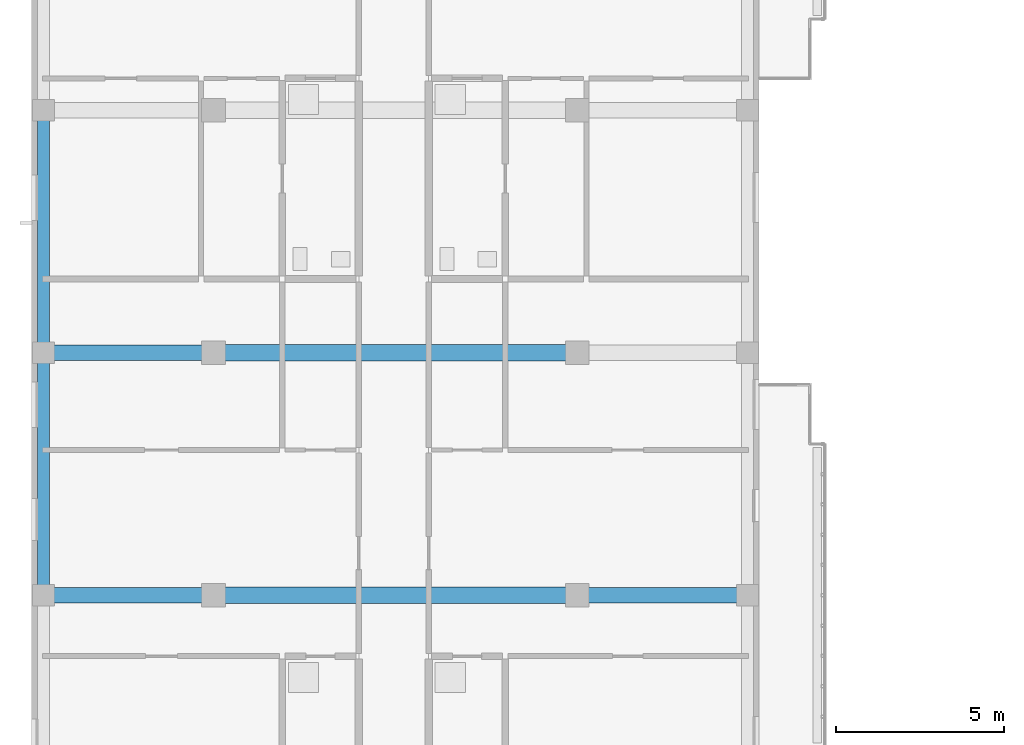
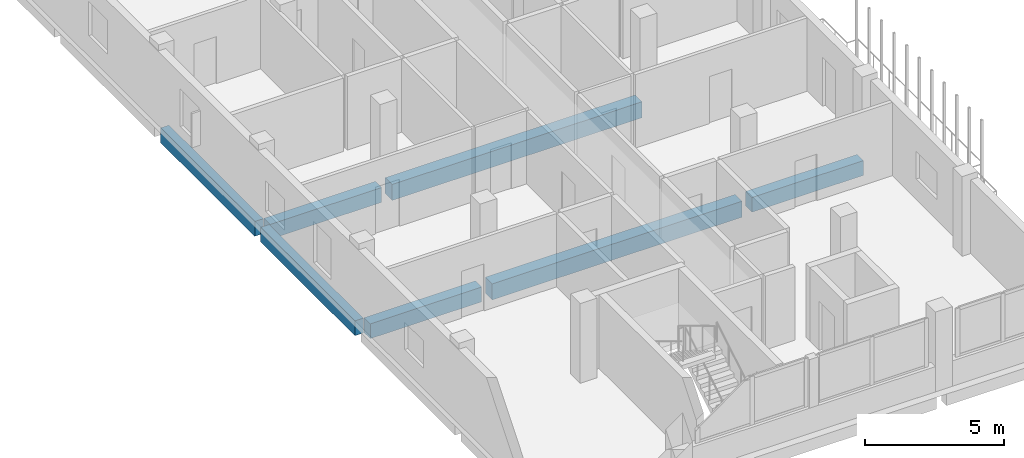
# One storey, part 18 of 73: 7 beams.
"""IFC4 building model written with IfcOpenShell, lengths in metres."""

from ifc_helpers import new_model, si_unit, derived_unit, direction, frame, origin, origin_2d, place, context, subcontext, project, spatial, rectangle, extrude, material, material_profile, profile_set, type_object, element, save


model = new_model("IFC4")

# Units and contexts
model_context = context("Model", 3, precision=1e-05, world=origin(), true_north=direction((0.0, 1.0)))
body_context = subcontext(model_context, "Body", "Model", "MODEL_VIEW")
ifc_project = project(units=[si_unit("LENGTHUNIT", "METRE"), si_unit("AREAUNIT", "SQUARE_METRE"), si_unit("VOLUMEUNIT", "CUBIC_METRE"), si_unit("PLANEANGLEUNIT", "RADIAN"), si_unit("MASSUNIT", "GRAM", prefix="KILO"), derived_unit("THERMALTRANSMITTANCEUNIT", [(si_unit("MASSUNIT", "GRAM", prefix="KILO"), 1), (si_unit("TIMEUNIT", "SECOND"), -3), (si_unit("THERMODYNAMICTEMPERATUREUNIT", "KELVIN"), -1)])], contexts=[model_context])

# Site, building, storey
site_placement = place(None, origin())
site = spatial("IfcSite", under=ifc_project, at=site_placement, CompositionType="ELEMENT")
building_placement = place(site_placement, origin())
building = spatial("IfcBuilding", under=site, at=building_placement, Name="Ochrekiln Boulevard Commons", CompositionType="ELEMENT")
storey_placement = place(building_placement, frame((0.0, 0.0, 8.574951171875)))
storey = spatial("IfcBuildingStorey", under=building, at=storey_placement, Name="L02", CompositionType="ELEMENT", Elevation=8.574951171875)

# Beams
ifc_material_1 = material(Name="Concrete C35/45", Category="concrete")
ifc_material_profile_1 = material_profile(ifc_material_1, rectangle(XDim=0.449951171875, YDim=0.64990234375, at=origin_2d()), Name="RC-BM-450x650")
ifc_profile_set_1 = profile_set([ifc_material_profile_1], Name="Concrete C35/45")
beam_type_1 = type_object("IfcBeamType", Name="BM-RC-450x650", PredefinedType="BEAM", material=ifc_profile_set_1)
beam_1_placement = place(storey_placement, frame((0.56005859375, 82.800048828125, -0.5849609375), z_axis=(1.0, 0.0, 0.0), x_axis=(0.0, 1.0, 0.0)))
element("IfcBeam", 1, at=beam_1_placement, inside=storey, type_object=beam_type_1, Name="Block A L02 Beam B-4565 X6", PredefinedType="BEAM", context=body_context, shape_type="SweptSolid", body=[
    extrude(rectangle(XDim=0.449951171875, YDim=0.64990234375, at=origin_2d()), origin(), (0.0, 0.0, 1.0), 4.6298828125),
])
beam_2_placement = place(storey_placement, frame((16.409912109375, 82.800048828125, -0.5849609375), z_axis=(1.0, 0.0, 0.0), x_axis=(0.0, 1.0, 0.0)))
element("IfcBeam", 2, at=beam_2_placement, inside=storey, type_object=beam_type_1, Name="Block A L02 Beam B-4565 X8", PredefinedType="BEAM", context=body_context, shape_type="SweptSolid", body=[
    extrude(rectangle(XDim=0.449951171875, YDim=0.64990234375, at=origin_2d()), origin(), (0.0, 0.0, 1.0), 4.630126953125),
])
beam_3_placement = place(storey_placement, frame((0.56005859375, 90.0, -0.5849609375), z_axis=(1.0, 0.0, 0.0), x_axis=(0.0, 1.0, 0.0)))
element("IfcBeam", 3, at=beam_3_placement, inside=storey, type_object=beam_type_1, Name="Block A L02 Beam B-4565 X9", PredefinedType="BEAM", context=body_context, shape_type="SweptSolid", body=[
    extrude(rectangle(XDim=0.449951171875, YDim=0.64990234375, at=origin_2d()), origin(), (0.0, 0.0, 1.0), 4.6298828125),
])
ifc_material_2 = material(Name="Concrete C40/50", Category="concrete")
ifc_material_profile_2 = material_profile(ifc_material_2, rectangle(XDim=0.5, YDim=0.699951171875, at=origin_2d()), Name="RC-BM-500x700")
ifc_profile_set_2 = profile_set([ifc_material_profile_2], Name="Concrete C40/50")
beam_type_2 = type_object("IfcBeamType", Name="BM-RC-500x700", PredefinedType="BEAM", material=ifc_profile_set_2)
for number, where, z_axis, x_axis, name in (
    (4, (5.610107421875, 82.800048828125, -0.60986328125), (1.0, 0.0, 0.0), (0.0, 1.0, 0.0), "Block A L02 Beam B-5070 X7"),
    (5, (5.610107421875, 90.0, -0.60986328125), (1.0, 0.0, 0.0), (0.0, 1.0, 0.0), "Block A L02 Beam B-5070 X10"),
):
    element("IfcBeam", number, at=place(storey_placement, frame(where, z_axis=z_axis, x_axis=x_axis)), inside=storey, type_object=beam_type_2, Name=name, PredefinedType="BEAM", context=body_context, shape_type="SweptSolid", body=[
        extrude(rectangle(XDim=0.5, YDim=0.699951171875, at=origin_2d()), origin(), (0.0, 0.0, 1.0), 10.3798828125),
    ])
ifc_material_profile_3 = material_profile(ifc_material_2, rectangle(XDim=0.35009765625, YDim=0.64990234375, at=origin_2d()), Name="RC-SPN-350x650")
ifc_profile_set_3 = profile_set([ifc_material_profile_3], Name="Concrete C40/50")
beam_type_3 = type_object("IfcBeamType", Name="SPN-RC-350x650", PredefinedType="SPANDREL", material=ifc_profile_set_3)
for number, where, z_axis, x_axis, name in (
    (6, (0.35009765625, 83.010009765625, -0.5849609375), (0.0, 1.0, 0.0), (-1.0, 0.0, 0.0), "Block A L02 Beam SP-3565 Y25"),
    (7, (0.35009765625, 90.2099609375, -0.5849609375), (0.0, 1.0, 0.0), (-1.0, 0.0, 0.0), "Block A L02 Beam SP-3565 Y26"),
):
    element("IfcBeam", number, at=place(storey_placement, frame(where, z_axis=z_axis, x_axis=x_axis)), inside=storey, type_object=beam_type_3, Name=name, PredefinedType="SPANDREL", context=body_context, shape_type="SweptSolid", body=[
        extrude(rectangle(XDim=0.35009765625, YDim=0.64990234375, at=origin_2d()), origin(), (0.0, 0.0, 1.0), 6.780029296875),
    ])

save(model, "model.ifc")
